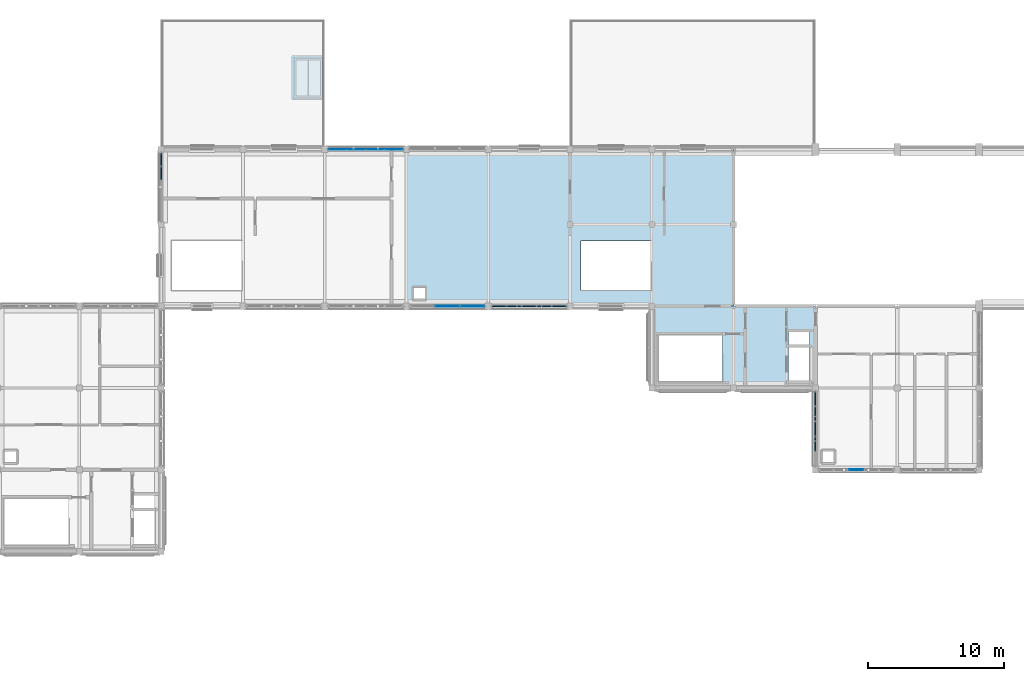
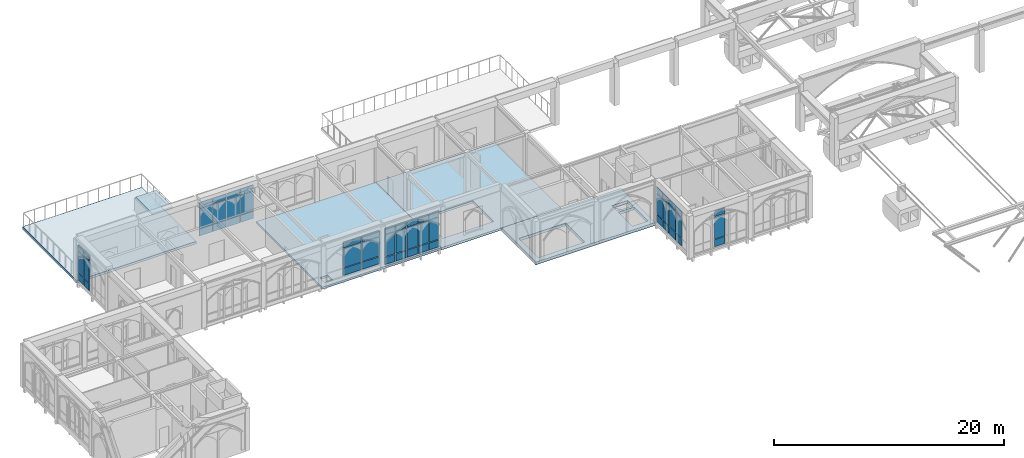
# One storey, part 37 of 59: 54 plates, 5 slabs, 6 elements without a shape of their own.
"""IFC4 building model written with IfcOpenShell, lengths in metres."""

from ifc_helpers import new_model, si_unit, direction, frame, origin, origin_2d, place, context, subcontext, project, spatial, polyline, rectangle, outline, extrude, material, layer, layer_set, type_object, element, aggregate, save


model = new_model("IFC4")

# Units and contexts
model_context = context("Model", 3, precision=1e-05, world=origin(), true_north=direction((0.0, 1.0)))
body_context = subcontext(model_context, "Body", "Model", "MODEL_VIEW")
ifc_project = project(units=[si_unit("LENGTHUNIT", "METRE"), si_unit("AREAUNIT", "SQUARE_METRE"), si_unit("VOLUMEUNIT", "CUBIC_METRE"), si_unit("PLANEANGLEUNIT", "RADIAN"), si_unit("MASSUNIT", "GRAM", prefix="KILO")], contexts=[model_context])

# Site, building, storey
site_placement = place(None, origin())
site = spatial("IfcSite", under=ifc_project, at=site_placement, CompositionType="ELEMENT")
building_placement = place(site_placement, origin())
building = spatial("IfcBuilding", under=site, at=building_placement, Name="Cumevento Cable Car Station", CompositionType="ELEMENT")
storey_placement = place(building_placement, frame((0.0, 0.0, 18.0)))
storey = spatial("IfcBuildingStorey", under=building, at=storey_placement, Name="L05", CompositionType="ELEMENT", Elevation=18.0)

# Slabs
ifc_material_1 = material(Name="Concrete C40/50", Category="concrete")
ifc_layer_1 = layer(ifc_material_1, 0.2119140625)
ifc_layer_set_1 = layer_set([ifc_layer_1], Name="Concrete C40/50")
slab_type_1 = type_object("IfcSlabType", Name="Concrete Deck FS-212 212", PredefinedType="FLOOR", material=ifc_layer_set_1)
slab_1_placement = place(storey_placement, frame((0.0, 0.0, -0.2119140625)))
element("IfcSlab", 1, at=slab_1_placement, inside=storey, type_object=slab_type_1, Name="Floor Slab FS-212 L05 B_V6c.2", PredefinedType="FLOOR", context=body_context, shape_type="SweptSolid", body=[
    extrude(outline(polyline([(40.0, 45.0), (52.0, 45.0), (52.0, 56.5), (40.0, 56.5), (40.0, 45.0)]), holes=[polyline([(40.550048828125, 45.550048828125), (41.35009765625, 45.550048828125), (41.35009765625, 46.35009765625), (40.550048828125, 46.35009765625), (40.550048828125, 45.550048828125)])]), origin(), (0.0, 0.0, 1.0), 0.2119140625),
])
ifc_material_2 = material(Name="Concrete C40/50", Category="concrete")
ifc_layer_2 = layer(ifc_material_2, 0.236083984375)
ifc_layer_set_2 = layer_set([ifc_layer_2], Name="Concrete C40/50")
slab_type_2 = type_object("IfcSlabType", Name="Concrete Deck FS-236 236", PredefinedType="FLOOR", material=ifc_layer_set_2)
slab_2_placement = place(storey_placement, frame((0.0, 0.0, -0.236083984375)))
element("IfcSlab", 2, at=slab_2_placement, inside=storey, type_object=slab_type_2, Name="Floor Slab FS-236 L05 B_V3d.1", PredefinedType="FLOOR", context=body_context, shape_type="SweptSolid", body=[
    extrude(outline(polyline([(52.0, 45.0), (64.0, 45.0), (64.0, 56.5), (52.0, 56.5), (52.0, 45.0)]), holes=[polyline([(52.800048828125, 46.199951171875), (57.89990234375, 46.199951171875), (57.89990234375, 49.800048828125), (52.800048828125, 49.800048828125), (52.800048828125, 46.199951171875)])]), origin(), (0.0, 0.0, 1.0), 0.236083984375),
])
ifc_material_3 = material(Name="Concrete C40/50", Category="concrete")
ifc_layer_3 = layer(ifc_material_3, 0.2958984375)
ifc_layer_set_3 = layer_set([ifc_layer_3], Name="Concrete C40/50")
slab_type_3 = type_object("IfcSlabType", Name="Concrete Deck FS-296 296", PredefinedType="FLOOR", material=ifc_layer_set_3)
slab_3_placement = place(storey_placement, frame((0.0, 0.0, -0.2958984375)))
element("IfcSlab", 3, at=slab_3_placement, inside=storey, type_object=slab_type_3, Name="Floor Slab FS-296 L05 B_V2c.1", PredefinedType="FLOOR", context=body_context, shape_type="SweptSolid", body=[
    extrude(outline(polyline([(58.0, 39.0), (70.0, 39.0), (70.0, 45.0), (58.0, 45.0), (58.0, 39.0)]), holes=[polyline([(68.010009765625, 39.5400390625), (69.580078125, 39.5400390625), (69.580078125, 41.9599609375), (68.010009765625, 41.9599609375), (68.010009765625, 39.5400390625)]), polyline([(58.52001953125, 39.52001953125), (63.199951171875, 39.52001953125), (63.199951171875, 42.85009765625), (58.52001953125, 42.85009765625), (58.52001953125, 39.52001953125)]), polyline([(68.010009765625, 42.199951171875), (69.580078125, 42.199951171875), (69.580078125, 43.10009765625), (68.010009765625, 43.10009765625), (68.010009765625, 42.199951171875)])]), origin(), (0.0, 0.0, 1.0), 0.2958984375),
])
ifc_material_4 = material(Name="Concrete C40/50", Category="concrete")
ifc_layer_4 = layer(ifc_material_4, 0.199951171875)
ifc_layer_set_4 = layer_set([ifc_layer_4], Name="Concrete C40/50")
slab_type_4 = type_object("IfcSlabType", Name="Concrete Deck RS-200 200", PredefinedType="ROOF", material=ifc_layer_set_4)
slab_4_placement = place(storey_placement, frame((0.0, 0.0, 1.25)))
element("IfcSlab", 4, at=slab_4_placement, inside=storey, type_object=slab_type_4, Name="Lift Overrun Roof Slab LF-04", PredefinedType="ROOF", context=body_context, shape_type="SweptSolid", body=[
    extrude(outline(polyline([(31.760009765625, 60.300048828125), (33.820068359375, 60.300048828125), (33.820068359375, 63.199951171875), (31.760009765625, 63.199951171875), (31.760009765625, 60.300048828125)])), origin(), (0.0, 0.0, 1.0), 0.199951171875),
])

# Curtain wall, plates
ifc_material_5 = material(Name="Anodised Bronze Aluminium AW-6063-T6", Category="aluminium")
ifc_layer_5 = layer(ifc_material_5, 0.238037109375)
ifc_layer_set_5 = layer_set([ifc_layer_5], Name="Anodised Bronze Aluminium AW-6063-T6")
curtain_wall_type_1 = type_object("IfcCurtainWallType", Name="Lancet Curtain Wall CW-14 1570", PredefinedType="NOTDEFINED", material=ifc_layer_set_5)
curtain_wall_1_placement = place(storey_placement, origin())
curtain_wall_1 = element("IfcCurtainWall", 5, at=curtain_wall_1_placement, inside=storey, type_object=curtain_wall_type_1, Name="Lancet Curtain Wall CW-14 L05 #205", PredefinedType="NOTDEFINED")
ifc_material_6 = material(Name="Insulated Bronze Aluminium Spandrel Panel", Category="aluminium")
ifc_layer_6 = layer(ifc_material_6, 0.06005859375)
ifc_layer_set_6 = layer_set([ifc_layer_6], Name="Insulated Bronze Aluminium Spandrel Panel")
plate_type_1 = type_object("IfcPlateType", Name="Spandrel Panel CWP-10 60", PredefinedType="CURTAIN_PANEL", material=ifc_layer_set_6)
plate_1_placement = place(storey_placement, frame((34.93505859375, 56.5, 0.47509765625), z_axis=(0.0, 0.0, 1.0), x_axis=(1.0, 0.0, 0.0)))
plate_1 = element("IfcPlate", 6, at=plate_1_placement, type_object=plate_type_1, Name="CW-14 panel 1.1", PredefinedType="CURTAIN_PANEL", context=body_context, shape_type="SweptSolid", body=[
    extrude(rectangle(XDim=1.2900390625, YDim=0.06005859375, at=origin_2d()), origin(), (0.0, 0.0, 1.0), 0.75244140625),
])
plate_2_placement = place(storey_placement, frame((34.93505859375, 56.5, 1.29248046875), z_axis=(0.0, 0.0, 1.0), x_axis=(1.0, 0.0, 0.0)))
plate_2 = element("IfcPlate", 7, at=plate_2_placement, type_object=plate_type_1, Name="CW-14 panel 1.2", PredefinedType="CURTAIN_PANEL", context=body_context, shape_type="SweptSolid", body=[
    extrude(rectangle(XDim=1.2900390625, YDim=0.06005859375, at=origin_2d()), origin(), (0.0, 0.0, 1.0), 2.068115234375),
])
plate_3_placement = place(storey_placement, frame((34.93505859375, 56.5, 3.425537109375), z_axis=(0.0, 0.0, 1.0), x_axis=(1.0, 0.0, 0.0)))
plate_3 = element("IfcPlate", 8, at=plate_3_placement, type_object=plate_type_1, Name="CW-14 panel 1.3", PredefinedType="CURTAIN_PANEL", context=body_context, shape_type="SweptSolid", body=[
    extrude(rectangle(XDim=1.2900390625, YDim=0.06005859375, at=origin_2d()), origin(), (0.0, 0.0, 1.0), 0.6025390625),
])
plate_4_placement = place(storey_placement, frame((36.30615234375, 56.5, 0.47509765625), z_axis=(0.0, 0.0, 1.0), x_axis=(1.0, 0.0, 0.0)))
plate_4 = element("IfcPlate", 9, at=plate_4_placement, type_object=plate_type_1, Name="CW-14 panel 2.1", PredefinedType="CURTAIN_PANEL", context=body_context, shape_type="SweptSolid", body=[
    extrude(rectangle(XDim=1.322509765625, YDim=0.06005859375, at=origin_2d()), origin(), (0.0, 0.0, 1.0), 0.75244140625),
])
plate_5_placement = place(storey_placement, frame((36.30615234375, 56.5, 1.29248046875), z_axis=(0.0, 0.0, 1.0), x_axis=(1.0, 0.0, 0.0)))
plate_5 = element("IfcPlate", 10, at=plate_5_placement, type_object=plate_type_1, Name="CW-14 panel 2.2", PredefinedType="CURTAIN_PANEL", context=body_context, shape_type="SweptSolid", body=[
    extrude(rectangle(XDim=1.322509765625, YDim=0.06005859375, at=origin_2d()), origin(), (0.0, 0.0, 1.0), 2.068115234375),
])
plate_6_placement = place(storey_placement, frame((36.30615234375, 56.5, 3.425537109375), z_axis=(0.0, 0.0, 1.0), x_axis=(1.0, 0.0, 0.0)))
plate_6 = element("IfcPlate", 11, at=plate_6_placement, type_object=plate_type_1, Name="CW-14 panel 2.3", PredefinedType="CURTAIN_PANEL", context=body_context, shape_type="SweptSolid", body=[
    extrude(rectangle(XDim=1.322509765625, YDim=0.06005859375, at=origin_2d()), origin(), (0.0, 0.0, 1.0), 0.6025390625),
])
plate_7_placement = place(storey_placement, frame((37.69384765625, 56.5, 0.47509765625), z_axis=(0.0, 0.0, 1.0), x_axis=(1.0, 0.0, 0.0)))
plate_7 = element("IfcPlate", 12, at=plate_7_placement, type_object=plate_type_1, Name="CW-14 panel 3.1", PredefinedType="CURTAIN_PANEL", context=body_context, shape_type="SweptSolid", body=[
    extrude(rectangle(XDim=1.322509765625, YDim=0.06005859375, at=origin_2d()), origin(), (0.0, 0.0, 1.0), 0.75244140625),
])
plate_8_placement = place(storey_placement, frame((37.69384765625, 56.5, 1.29248046875), z_axis=(0.0, 0.0, 1.0), x_axis=(1.0, 0.0, 0.0)))
plate_8 = element("IfcPlate", 13, at=plate_8_placement, type_object=plate_type_1, Name="CW-14 panel 3.2", PredefinedType="CURTAIN_PANEL", context=body_context, shape_type="SweptSolid", body=[
    extrude(rectangle(XDim=1.322509765625, YDim=0.06005859375, at=origin_2d()), origin(), (0.0, 0.0, 1.0), 2.068115234375),
])
plate_9_placement = place(storey_placement, frame((37.69384765625, 56.5, 3.425537109375), z_axis=(0.0, 0.0, 1.0), x_axis=(1.0, 0.0, 0.0)))
plate_9 = element("IfcPlate", 14, at=plate_9_placement, type_object=plate_type_1, Name="CW-14 panel 3.3", PredefinedType="CURTAIN_PANEL", context=body_context, shape_type="SweptSolid", body=[
    extrude(rectangle(XDim=1.322509765625, YDim=0.06005859375, at=origin_2d()), origin(), (0.0, 0.0, 1.0), 0.6025390625),
])
plate_10_placement = place(storey_placement, frame((39.06494140625, 56.5, 0.47509765625), z_axis=(0.0, 0.0, 1.0), x_axis=(1.0, 0.0, 0.0)))
plate_10 = element("IfcPlate", 15, at=plate_10_placement, type_object=plate_type_1, Name="CW-14 panel 4.1", PredefinedType="CURTAIN_PANEL", context=body_context, shape_type="SweptSolid", body=[
    extrude(rectangle(XDim=1.2900390625, YDim=0.06005859375, at=origin_2d()), origin(), (0.0, 0.0, 1.0), 0.75244140625),
])
plate_11_placement = place(storey_placement, frame((39.06494140625, 56.5, 1.29248046875), z_axis=(0.0, 0.0, 1.0), x_axis=(1.0, 0.0, 0.0)))
plate_11 = element("IfcPlate", 16, at=plate_11_placement, type_object=plate_type_1, Name="CW-14 panel 4.2", PredefinedType="CURTAIN_PANEL", context=body_context, shape_type="SweptSolid", body=[
    extrude(rectangle(XDim=1.2900390625, YDim=0.06005859375, at=origin_2d()), origin(), (0.0, 0.0, 1.0), 2.068115234375),
])
plate_12_placement = place(storey_placement, frame((39.06494140625, 56.5, 3.425537109375), z_axis=(0.0, 0.0, 1.0), x_axis=(1.0, 0.0, 0.0)))
plate_12 = element("IfcPlate", 17, at=plate_12_placement, type_object=plate_type_1, Name="CW-14 panel 4.3", PredefinedType="CURTAIN_PANEL", context=body_context, shape_type="SweptSolid", body=[
    extrude(rectangle(XDim=1.2900390625, YDim=0.06005859375, at=origin_2d()), origin(), (0.0, 0.0, 1.0), 0.6025390625),
])
aggregate(curtain_wall_1, [plate_1, plate_2, plate_3, plate_4, plate_5, plate_6, plate_7, plate_8, plate_9, plate_10, plate_11, plate_12])

ifc_material_7 = material(Name="Anodised Bronze Aluminium AW-6063-T6", Category="aluminium")
ifc_layer_7 = layer(ifc_material_7, 0.159912109375)
ifc_layer_set_7 = layer_set([ifc_layer_7], Name="Anodised Bronze Aluminium AW-6063-T6")
curtain_wall_type_2 = type_object("IfcCurtainWallType", Name="Lancet Curtain Wall CW-01 1050", PredefinedType="NOTDEFINED", material=ifc_layer_set_7)
curtain_wall_2_placement = place(storey_placement, origin())
curtain_wall_2 = element("IfcCurtainWall", 18, at=curtain_wall_2_placement, inside=storey, type_object=curtain_wall_type_2, Name="Lancet Curtain Wall CW-01 L05 #192", PredefinedType="NOTDEFINED")
ifc_material_8 = material(Name="Insulated Bronze Aluminium Spandrel Panel", Category="aluminium")
ifc_layer_8 = layer(ifc_material_8, 0.06591796875)
ifc_layer_set_8 = layer_set([ifc_layer_8], Name="Insulated Bronze Aluminium Spandrel Panel")
plate_type_2 = type_object("IfcPlateType", Name="Spandrel Panel CWP-11 66", PredefinedType="CURTAIN_PANEL", material=ifc_layer_set_8)
plate_13_placement = place(storey_placement, frame((73.0, 33.0, 0.22509765625), z_axis=(0.0, 0.0, 1.0), x_axis=(-1.0, 0.0, 0.0)))
plate_13 = element("IfcPlate", 19, at=plate_13_placement, type_object=plate_type_2, Name="CW-01 panel 3.1", PredefinedType="CURTAIN_PANEL", context=body_context, shape_type="SweptSolid", body=[
    extrude(rectangle(XDim=1.044921875, YDim=0.06591796875, at=origin_2d()), origin(), (0.0, 0.0, 1.0), 0.75244140625),
])
plate_14_placement = place(storey_placement, frame((73.0, 33.0, 1.04248046875), z_axis=(0.0, 0.0, 1.0), x_axis=(-1.0, 0.0, 0.0)))
plate_14 = element("IfcPlate", 20, at=plate_14_placement, type_object=plate_type_2, Name="CW-01 panel 3.2", PredefinedType="CURTAIN_PANEL", context=body_context, shape_type="SweptSolid", body=[
    extrude(rectangle(XDim=1.044921875, YDim=0.06591796875, at=origin_2d()), origin(), (0.0, 0.0, 1.0), 2.318115234375),
])
plate_15_placement = place(storey_placement, frame((73.0, 33.0, 3.425537109375), z_axis=(0.0, 0.0, 1.0), x_axis=(-1.0, 0.0, 0.0)))
plate_15 = element("IfcPlate", 21, at=plate_15_placement, type_object=plate_type_2, Name="CW-01 panel 3.3", PredefinedType="CURTAIN_PANEL", context=body_context, shape_type="SweptSolid", body=[
    extrude(rectangle(XDim=1.044921875, YDim=0.06591796875, at=origin_2d()), origin(), (0.0, 0.0, 1.0), 0.6025390625),
])
aggregate(curtain_wall_2, [plate_13, plate_14, plate_15])

ifc_material_9 = material(Name="Anodised Bronze Aluminium AW-6063-T6", Category="aluminium")
ifc_layer_9 = layer(ifc_material_9, 0.243896484375)
ifc_layer_set_9 = layer_set([ifc_layer_9], Name="Anodised Bronze Aluminium AW-6063-T6")
curtain_wall_type_3 = type_object("IfcCurtainWallType", Name="Lancet Curtain Wall CW-15 1610", PredefinedType="NOTDEFINED", material=ifc_layer_set_9)
curtain_wall_3_placement = place(storey_placement, origin())
curtain_wall_3 = element("IfcCurtainWall", 22, at=curtain_wall_3_placement, inside=storey, type_object=curtain_wall_type_3, Name="Lancet Curtain Wall CW-15 L05 #206", PredefinedType="NOTDEFINED")
plate_16_placement = place(storey_placement, frame((44.833740234375, 45.0, 0.525146484375), z_axis=(0.0, 0.0, 1.0), x_axis=(-1.0, 0.0, 0.0)))
plate_16 = element("IfcPlate", 23, at=plate_16_placement, type_object=plate_type_2, Name="CW-15 panel 1.1", PredefinedType="CURTAIN_PANEL", context=body_context, shape_type="SweptSolid", body=[
    extrude(rectangle(XDim=1.75244140625, YDim=0.06591796875, at=origin_2d()), origin(), (0.0, 0.0, 1.0), 0.75244140625),
])
plate_17_placement = place(storey_placement, frame((44.833740234375, 45.0, 1.342529296875), z_axis=(0.0, 0.0, 1.0), x_axis=(-1.0, 0.0, 0.0)))
plate_17 = element("IfcPlate", 24, at=plate_17_placement, type_object=plate_type_2, Name="CW-15 panel 1.2", PredefinedType="CURTAIN_PANEL", context=body_context, shape_type="SweptSolid", body=[
    extrude(rectangle(XDim=1.75244140625, YDim=0.06591796875, at=origin_2d()), origin(), (0.0, 0.0, 1.0), 2.01806640625),
])
plate_18_placement = place(storey_placement, frame((44.833740234375, 45.0, 3.425537109375), z_axis=(0.0, 0.0, 1.0), x_axis=(-1.0, 0.0, 0.0)))
plate_18 = element("IfcPlate", 25, at=plate_18_placement, type_object=plate_type_2, Name="CW-15 panel 1.3", PredefinedType="CURTAIN_PANEL", context=body_context, shape_type="SweptSolid", body=[
    extrude(rectangle(XDim=1.75244140625, YDim=0.06591796875, at=origin_2d()), origin(), (0.0, 0.0, 1.0), 0.6025390625),
])
plate_19_placement = place(storey_placement, frame((43.0, 45.0, 0.525146484375), z_axis=(0.0, 0.0, 1.0), x_axis=(-1.0, 0.0, 0.0)))
plate_19 = element("IfcPlate", 26, at=plate_19_placement, type_object=plate_type_2, Name="CW-15 panel 2.1", PredefinedType="CURTAIN_PANEL", context=body_context, shape_type="SweptSolid", body=[
    extrude(rectangle(XDim=1.784912109375, YDim=0.06591796875, at=origin_2d()), origin(), (0.0, 0.0, 1.0), 0.75244140625),
])
plate_20_placement = place(storey_placement, frame((43.0, 45.0, 1.342529296875), z_axis=(0.0, 0.0, 1.0), x_axis=(-1.0, 0.0, 0.0)))
plate_20 = element("IfcPlate", 27, at=plate_20_placement, type_object=plate_type_2, Name="CW-15 panel 2.2", PredefinedType="CURTAIN_PANEL", context=body_context, shape_type="SweptSolid", body=[
    extrude(rectangle(XDim=1.784912109375, YDim=0.06591796875, at=origin_2d()), origin(), (0.0, 0.0, 1.0), 2.01806640625),
])
plate_21_placement = place(storey_placement, frame((43.0, 45.0, 3.425537109375), z_axis=(0.0, 0.0, 1.0), x_axis=(-1.0, 0.0, 0.0)))
plate_21 = element("IfcPlate", 28, at=plate_21_placement, type_object=plate_type_2, Name="CW-15 panel 2.3", PredefinedType="CURTAIN_PANEL", context=body_context, shape_type="SweptSolid", body=[
    extrude(rectangle(XDim=1.784912109375, YDim=0.06591796875, at=origin_2d()), origin(), (0.0, 0.0, 1.0), 0.6025390625),
])
aggregate(curtain_wall_3, [plate_16, plate_17, plate_18, plate_19, plate_20, plate_21])

ifc_material_10 = material(Name="Anodised Bronze Aluminium AW-6063-T6", Category="aluminium")
ifc_layer_10 = layer(ifc_material_10, 0.172119140625)
ifc_layer_set_10 = layer_set([ifc_layer_10], Name="Anodised Bronze Aluminium AW-6063-T6")
curtain_wall_type_4 = type_object("IfcCurtainWallType", Name="Lancet Curtain Wall CW-03 1130", PredefinedType="NOTDEFINED", material=ifc_layer_set_10)
curtain_wall_4_placement = place(storey_placement, origin())
curtain_wall_4 = element("IfcCurtainWall", 29, at=curtain_wall_4_placement, inside=storey, type_object=curtain_wall_type_4, Name="Lancet Curtain Wall CW-03 L05 #194", PredefinedType="NOTDEFINED")
ifc_material_11 = material(Name="Insulated Bronze Aluminium Spandrel Panel", Category="aluminium")
ifc_layer_11 = layer(ifc_material_11, 0.077880859375)
ifc_layer_set_11 = layer_set([ifc_layer_11], Name="Insulated Bronze Aluminium Spandrel Panel")
plate_type_3 = type_object("IfcPlateType", Name="Spandrel Panel CWP-13 78", PredefinedType="CURTAIN_PANEL", material=ifc_layer_set_11)
plate_22_placement = place(storey_placement, frame((70.0, 34.889892578125, 0.324951171875), z_axis=(0.0, 0.0, 1.0), x_axis=(0.0, 1.0, 0.0)))
plate_22 = element("IfcPlate", 30, at=plate_22_placement, type_object=plate_type_3, Name="CW-03 panel 2.1", PredefinedType="CURTAIN_PANEL", context=body_context, shape_type="SweptSolid", body=[
    extrude(rectangle(XDim=1.044921875, YDim=0.077880859375, at=origin_2d()), origin(), (0.0, 0.0, 1.0), 0.75244140625),
])
plate_23_placement = place(storey_placement, frame((70.0, 34.889892578125, 1.142578125), z_axis=(0.0, 0.0, 1.0), x_axis=(0.0, 1.0, 0.0)))
plate_23 = element("IfcPlate", 31, at=plate_23_placement, type_object=plate_type_3, Name="CW-03 panel 2.2", PredefinedType="CURTAIN_PANEL", context=body_context, shape_type="SweptSolid", body=[
    extrude(rectangle(XDim=1.044921875, YDim=0.077880859375, at=origin_2d()), origin(), (0.0, 0.0, 1.0), 2.16796875),
])
plate_24_placement = place(storey_placement, frame((70.0, 34.889892578125, 3.37548828125), z_axis=(0.0, 0.0, 1.0), x_axis=(0.0, 1.0, 0.0)))
plate_24 = element("IfcPlate", 32, at=plate_24_placement, type_object=plate_type_3, Name="CW-03 panel 2.3", PredefinedType="CURTAIN_PANEL", context=body_context, shape_type="SweptSolid", body=[
    extrude(rectangle(XDim=1.044921875, YDim=0.077880859375, at=origin_2d()), origin(), (0.0, 0.0, 1.0), 0.6025390625),
])
plate_25_placement = place(storey_placement, frame((70.0, 36.0, 0.324951171875), z_axis=(0.0, 0.0, 1.0), x_axis=(0.0, 1.0, 0.0)))
plate_25 = element("IfcPlate", 33, at=plate_25_placement, type_object=plate_type_3, Name="CW-03 panel 3.1", PredefinedType="CURTAIN_PANEL", context=body_context, shape_type="SweptSolid", body=[
    extrude(rectangle(XDim=1.044921875, YDim=0.077880859375, at=origin_2d()), origin(), (0.0, 0.0, 1.0), 0.75244140625),
])
plate_26_placement = place(storey_placement, frame((70.0, 36.0, 1.142578125), z_axis=(0.0, 0.0, 1.0), x_axis=(0.0, 1.0, 0.0)))
plate_26 = element("IfcPlate", 34, at=plate_26_placement, type_object=plate_type_3, Name="CW-03 panel 3.2", PredefinedType="CURTAIN_PANEL", context=body_context, shape_type="SweptSolid", body=[
    extrude(rectangle(XDim=1.044921875, YDim=0.077880859375, at=origin_2d()), origin(), (0.0, 0.0, 1.0), 2.16796875),
])
plate_27_placement = place(storey_placement, frame((70.0, 36.0, 3.37548828125), z_axis=(0.0, 0.0, 1.0), x_axis=(0.0, 1.0, 0.0)))
plate_27 = element("IfcPlate", 35, at=plate_27_placement, type_object=plate_type_3, Name="CW-03 panel 3.3", PredefinedType="CURTAIN_PANEL", context=body_context, shape_type="SweptSolid", body=[
    extrude(rectangle(XDim=1.044921875, YDim=0.077880859375, at=origin_2d()), origin(), (0.0, 0.0, 1.0), 0.6025390625),
])
plate_28_placement = place(storey_placement, frame((70.0, 37.110107421875, 0.324951171875), z_axis=(0.0, 0.0, 1.0), x_axis=(0.0, 1.0, 0.0)))
plate_28 = element("IfcPlate", 36, at=plate_28_placement, type_object=plate_type_3, Name="CW-03 panel 4.1", PredefinedType="CURTAIN_PANEL", context=body_context, shape_type="SweptSolid", body=[
    extrude(rectangle(XDim=1.044921875, YDim=0.077880859375, at=origin_2d()), origin(), (0.0, 0.0, 1.0), 0.75244140625),
])
plate_29_placement = place(storey_placement, frame((70.0, 37.110107421875, 1.142578125), z_axis=(0.0, 0.0, 1.0), x_axis=(0.0, 1.0, 0.0)))
plate_29 = element("IfcPlate", 37, at=plate_29_placement, type_object=plate_type_3, Name="CW-03 panel 4.2", PredefinedType="CURTAIN_PANEL", context=body_context, shape_type="SweptSolid", body=[
    extrude(rectangle(XDim=1.044921875, YDim=0.077880859375, at=origin_2d()), origin(), (0.0, 0.0, 1.0), 2.16796875),
])
plate_30_placement = place(storey_placement, frame((70.0, 37.110107421875, 3.37548828125), z_axis=(0.0, 0.0, 1.0), x_axis=(0.0, 1.0, 0.0)))
plate_30 = element("IfcPlate", 38, at=plate_30_placement, type_object=plate_type_3, Name="CW-03 panel 4.3", PredefinedType="CURTAIN_PANEL", context=body_context, shape_type="SweptSolid", body=[
    extrude(rectangle(XDim=1.044921875, YDim=0.077880859375, at=origin_2d()), origin(), (0.0, 0.0, 1.0), 0.6025390625),
])
plate_31_placement = place(storey_placement, frame((70.0, 38.203857421875, 0.324951171875), z_axis=(0.0, 0.0, 1.0), x_axis=(0.0, 1.0, 0.0)))
plate_31 = element("IfcPlate", 39, at=plate_31_placement, type_object=plate_type_3, Name="CW-03 panel 5.1", PredefinedType="CURTAIN_PANEL", context=body_context, shape_type="SweptSolid", body=[
    extrude(rectangle(XDim=1.012451171875, YDim=0.077880859375, at=origin_2d()), origin(), (0.0, 0.0, 1.0), 0.75244140625),
])
plate_32_placement = place(storey_placement, frame((70.0, 38.203857421875, 1.142578125), z_axis=(0.0, 0.0, 1.0), x_axis=(0.0, 1.0, 0.0)))
plate_32 = element("IfcPlate", 40, at=plate_32_placement, type_object=plate_type_3, Name="CW-03 panel 5.2", PredefinedType="CURTAIN_PANEL", context=body_context, shape_type="SweptSolid", body=[
    extrude(rectangle(XDim=1.012451171875, YDim=0.077880859375, at=origin_2d()), origin(), (0.0, 0.0, 1.0), 2.16796875),
])
plate_33_placement = place(storey_placement, frame((70.0, 38.203857421875, 3.37548828125), z_axis=(0.0, 0.0, 1.0), x_axis=(0.0, 1.0, 0.0)))
plate_33 = element("IfcPlate", 41, at=plate_33_placement, type_object=plate_type_3, Name="CW-03 panel 5.3", PredefinedType="CURTAIN_PANEL", context=body_context, shape_type="SweptSolid", body=[
    extrude(rectangle(XDim=1.012451171875, YDim=0.077880859375, at=origin_2d()), origin(), (0.0, 0.0, 1.0), 0.6025390625),
])
aggregate(curtain_wall_4, [plate_22, plate_23, plate_24, plate_25, plate_26, plate_27, plate_28, plate_29, plate_30, plate_31, plate_32, plate_33])

curtain_wall_5_placement = place(storey_placement, origin())
curtain_wall_5 = element("IfcCurtainWall", 42, at=curtain_wall_5_placement, inside=storey, type_object=curtain_wall_type_2, Name="Lancet Curtain Wall CW-01 L05 #208", PredefinedType="NOTDEFINED")
plate_34_placement = place(storey_placement, frame((51.203857421875, 45.0, 0.22509765625), z_axis=(0.0, 0.0, 1.0), x_axis=(-1.0, 0.0, 0.0)))
plate_34 = element("IfcPlate", 43, at=plate_34_placement, type_object=plate_type_3, Name="CW-01 panel 1.1", PredefinedType="CURTAIN_PANEL", context=body_context, shape_type="SweptSolid", body=[
    extrude(rectangle(XDim=1.012451171875, YDim=0.077880859375, at=origin_2d()), origin(), (0.0, 0.0, 1.0), 0.75244140625),
])
plate_35_placement = place(storey_placement, frame((51.203857421875, 45.0, 1.04248046875), z_axis=(0.0, 0.0, 1.0), x_axis=(-1.0, 0.0, 0.0)))
plate_35 = element("IfcPlate", 44, at=plate_35_placement, type_object=plate_type_3, Name="CW-01 panel 1.2", PredefinedType="CURTAIN_PANEL", context=body_context, shape_type="SweptSolid", body=[
    extrude(rectangle(XDim=1.012451171875, YDim=0.077880859375, at=origin_2d()), origin(), (0.0, 0.0, 1.0), 2.318115234375),
])
plate_36_placement = place(storey_placement, frame((51.203857421875, 45.0, 3.425537109375), z_axis=(0.0, 0.0, 1.0), x_axis=(-1.0, 0.0, 0.0)))
plate_36 = element("IfcPlate", 45, at=plate_36_placement, type_object=plate_type_3, Name="CW-01 panel 1.3", PredefinedType="CURTAIN_PANEL", context=body_context, shape_type="SweptSolid", body=[
    extrude(rectangle(XDim=1.012451171875, YDim=0.077880859375, at=origin_2d()), origin(), (0.0, 0.0, 1.0), 0.6025390625),
])
plate_37_placement = place(storey_placement, frame((50.110107421875, 45.0, 0.22509765625), z_axis=(0.0, 0.0, 1.0), x_axis=(-1.0, 0.0, 0.0)))
plate_37 = element("IfcPlate", 46, at=plate_37_placement, type_object=plate_type_3, Name="CW-01 panel 2.1", PredefinedType="CURTAIN_PANEL", context=body_context, shape_type="SweptSolid", body=[
    extrude(rectangle(XDim=1.044921875, YDim=0.077880859375, at=origin_2d()), origin(), (0.0, 0.0, 1.0), 0.75244140625),
])
plate_38_placement = place(storey_placement, frame((50.110107421875, 45.0, 1.04248046875), z_axis=(0.0, 0.0, 1.0), x_axis=(-1.0, 0.0, 0.0)))
plate_38 = element("IfcPlate", 47, at=plate_38_placement, type_object=plate_type_3, Name="CW-01 panel 2.2", PredefinedType="CURTAIN_PANEL", context=body_context, shape_type="SweptSolid", body=[
    extrude(rectangle(XDim=1.044921875, YDim=0.077880859375, at=origin_2d()), origin(), (0.0, 0.0, 1.0), 2.318115234375),
])
plate_39_placement = place(storey_placement, frame((50.110107421875, 45.0, 3.425537109375), z_axis=(0.0, 0.0, 1.0), x_axis=(-1.0, 0.0, 0.0)))
plate_39 = element("IfcPlate", 48, at=plate_39_placement, type_object=plate_type_3, Name="CW-01 panel 2.3", PredefinedType="CURTAIN_PANEL", context=body_context, shape_type="SweptSolid", body=[
    extrude(rectangle(XDim=1.044921875, YDim=0.077880859375, at=origin_2d()), origin(), (0.0, 0.0, 1.0), 0.6025390625),
])
plate_40_placement = place(storey_placement, frame((49.0, 45.0, 0.22509765625), z_axis=(0.0, 0.0, 1.0), x_axis=(-1.0, 0.0, 0.0)))
plate_40 = element("IfcPlate", 49, at=plate_40_placement, type_object=plate_type_3, Name="CW-01 panel 3.1", PredefinedType="CURTAIN_PANEL", context=body_context, shape_type="SweptSolid", body=[
    extrude(rectangle(XDim=1.044921875, YDim=0.077880859375, at=origin_2d()), origin(), (0.0, 0.0, 1.0), 0.75244140625),
])
plate_41_placement = place(storey_placement, frame((49.0, 45.0, 1.04248046875), z_axis=(0.0, 0.0, 1.0), x_axis=(-1.0, 0.0, 0.0)))
plate_41 = element("IfcPlate", 50, at=plate_41_placement, type_object=plate_type_3, Name="CW-01 panel 3.2", PredefinedType="CURTAIN_PANEL", context=body_context, shape_type="SweptSolid", body=[
    extrude(rectangle(XDim=1.044921875, YDim=0.077880859375, at=origin_2d()), origin(), (0.0, 0.0, 1.0), 2.318115234375),
])
plate_42_placement = place(storey_placement, frame((49.0, 45.0, 3.425537109375), z_axis=(0.0, 0.0, 1.0), x_axis=(-1.0, 0.0, 0.0)))
plate_42 = element("IfcPlate", 51, at=plate_42_placement, type_object=plate_type_3, Name="CW-01 panel 3.3", PredefinedType="CURTAIN_PANEL", context=body_context, shape_type="SweptSolid", body=[
    extrude(rectangle(XDim=1.044921875, YDim=0.077880859375, at=origin_2d()), origin(), (0.0, 0.0, 1.0), 0.6025390625),
])
plate_43_placement = place(storey_placement, frame((47.889892578125, 45.0, 0.22509765625), z_axis=(0.0, 0.0, 1.0), x_axis=(-1.0, 0.0, 0.0)))
plate_43 = element("IfcPlate", 52, at=plate_43_placement, type_object=plate_type_3, Name="CW-01 panel 4.1", PredefinedType="CURTAIN_PANEL", context=body_context, shape_type="SweptSolid", body=[
    extrude(rectangle(XDim=1.044921875, YDim=0.077880859375, at=origin_2d()), origin(), (0.0, 0.0, 1.0), 0.75244140625),
])
plate_44_placement = place(storey_placement, frame((47.889892578125, 45.0, 1.04248046875), z_axis=(0.0, 0.0, 1.0), x_axis=(-1.0, 0.0, 0.0)))
plate_44 = element("IfcPlate", 53, at=plate_44_placement, type_object=plate_type_3, Name="CW-01 panel 4.2", PredefinedType="CURTAIN_PANEL", context=body_context, shape_type="SweptSolid", body=[
    extrude(rectangle(XDim=1.044921875, YDim=0.077880859375, at=origin_2d()), origin(), (0.0, 0.0, 1.0), 2.318115234375),
])
plate_45_placement = place(storey_placement, frame((47.889892578125, 45.0, 3.425537109375), z_axis=(0.0, 0.0, 1.0), x_axis=(-1.0, 0.0, 0.0)))
plate_45 = element("IfcPlate", 54, at=plate_45_placement, type_object=plate_type_3, Name="CW-01 panel 4.3", PredefinedType="CURTAIN_PANEL", context=body_context, shape_type="SweptSolid", body=[
    extrude(rectangle(XDim=1.044921875, YDim=0.077880859375, at=origin_2d()), origin(), (0.0, 0.0, 1.0), 0.6025390625),
])
plate_46_placement = place(storey_placement, frame((46.796142578125, 45.0, 0.22509765625), z_axis=(0.0, 0.0, 1.0), x_axis=(-1.0, 0.0, 0.0)))
plate_46 = element("IfcPlate", 55, at=plate_46_placement, type_object=plate_type_3, Name="CW-01 panel 5.1", PredefinedType="CURTAIN_PANEL", context=body_context, shape_type="SweptSolid", body=[
    extrude(rectangle(XDim=1.012451171875, YDim=0.077880859375, at=origin_2d()), origin(), (0.0, 0.0, 1.0), 0.75244140625),
])
plate_47_placement = place(storey_placement, frame((46.796142578125, 45.0, 1.04248046875), z_axis=(0.0, 0.0, 1.0), x_axis=(-1.0, 0.0, 0.0)))
plate_47 = element("IfcPlate", 56, at=plate_47_placement, type_object=plate_type_3, Name="CW-01 panel 5.2", PredefinedType="CURTAIN_PANEL", context=body_context, shape_type="SweptSolid", body=[
    extrude(rectangle(XDim=1.012451171875, YDim=0.077880859375, at=origin_2d()), origin(), (0.0, 0.0, 1.0), 2.318115234375),
])
plate_48_placement = place(storey_placement, frame((46.796142578125, 45.0, 3.425537109375), z_axis=(0.0, 0.0, 1.0), x_axis=(-1.0, 0.0, 0.0)))
plate_48 = element("IfcPlate", 57, at=plate_48_placement, type_object=plate_type_3, Name="CW-01 panel 5.3", PredefinedType="CURTAIN_PANEL", context=body_context, shape_type="SweptSolid", body=[
    extrude(rectangle(XDim=1.012451171875, YDim=0.077880859375, at=origin_2d()), origin(), (0.0, 0.0, 1.0), 0.6025390625),
])
aggregate(curtain_wall_5, [plate_34, plate_35, plate_36, plate_37, plate_38, plate_39, plate_40, plate_41, plate_42, plate_43, plate_44, plate_45, plate_46, plate_47, plate_48])

ifc_material_12 = material(Name="Anodised Bronze Aluminium AW-6063-T6", Category="aluminium")
ifc_layer_12 = layer(ifc_material_12, 0.166015625)
ifc_layer_set_12 = layer_set([ifc_layer_12], Name="Anodised Bronze Aluminium AW-6063-T6")
curtain_wall_type_5 = type_object("IfcCurtainWallType", Name="Lancet Curtain Wall CW-02 1090", PredefinedType="NOTDEFINED", material=ifc_layer_set_12)
curtain_wall_6_placement = place(storey_placement, origin())
curtain_wall_6 = element("IfcCurtainWall", 58, at=curtain_wall_6_placement, inside=storey, type_object=curtain_wall_type_5, Name="Lancet Curtain Wall CW-02 L05 #209", PredefinedType="NOTDEFINED")
ifc_material_13 = material(Name="Insulated Bronze Aluminium Spandrel Panel", Category="aluminium")
ifc_layer_13 = layer(ifc_material_13, 0.0849609375)
ifc_layer_set_13 = layer_set([ifc_layer_13], Name="Insulated Bronze Aluminium Spandrel Panel")
plate_type_4 = type_object("IfcPlateType", Name="Spandrel Panel CWP-14 85", PredefinedType="CURTAIN_PANEL", material=ifc_layer_set_13)
plate_49_placement = place(storey_placement, frame((22.0, 54.760009765625, 0.275146484375), z_axis=(0.0, 0.0, 1.0), x_axis=(0.0, 1.0, 0.0)))
plate_49 = element("IfcPlate", 59, at=plate_49_placement, type_object=plate_type_4, Name="CW-02 panel 4.1", PredefinedType="CURTAIN_PANEL", context=body_context, shape_type="SweptSolid", body=[
    extrude(rectangle(XDim=0.945068359375, YDim=0.0849609375, at=origin_2d()), origin(), (0.0, 0.0, 1.0), 0.75244140625),
])
plate_50_placement = place(storey_placement, frame((22.0, 54.760009765625, 1.092529296875), z_axis=(0.0, 0.0, 1.0), x_axis=(0.0, 1.0, 0.0)))
plate_50 = element("IfcPlate", 60, at=plate_50_placement, type_object=plate_type_4, Name="CW-02 panel 4.2", PredefinedType="CURTAIN_PANEL", context=body_context, shape_type="SweptSolid", body=[
    extrude(rectangle(XDim=0.945068359375, YDim=0.0849609375, at=origin_2d()), origin(), (0.0, 0.0, 1.0), 2.26806640625),
])
plate_51_placement = place(storey_placement, frame((22.0, 54.760009765625, 3.425537109375), z_axis=(0.0, 0.0, 1.0), x_axis=(0.0, 1.0, 0.0)))
plate_51 = element("IfcPlate", 61, at=plate_51_placement, type_object=plate_type_4, Name="CW-02 panel 4.3", PredefinedType="CURTAIN_PANEL", context=body_context, shape_type="SweptSolid", body=[
    extrude(rectangle(XDim=0.945068359375, YDim=0.0849609375, at=origin_2d()), origin(), (0.0, 0.0, 1.0), 0.6025390625),
])
plate_52_placement = place(storey_placement, frame((22.0, 55.753662109375, 0.275146484375), z_axis=(0.0, 0.0, 1.0), x_axis=(0.0, 1.0, 0.0)))
plate_52 = element("IfcPlate", 62, at=plate_52_placement, type_object=plate_type_4, Name="CW-02 panel 5.1", PredefinedType="CURTAIN_PANEL", context=body_context, shape_type="SweptSolid", body=[
    extrude(rectangle(XDim=0.91259765625, YDim=0.0849609375, at=origin_2d()), origin(), (0.0, 0.0, 1.0), 0.75244140625),
])
plate_53_placement = place(storey_placement, frame((22.0, 55.753662109375, 1.092529296875), z_axis=(0.0, 0.0, 1.0), x_axis=(0.0, 1.0, 0.0)))
plate_53 = element("IfcPlate", 63, at=plate_53_placement, type_object=plate_type_4, Name="CW-02 panel 5.2", PredefinedType="CURTAIN_PANEL", context=body_context, shape_type="SweptSolid", body=[
    extrude(rectangle(XDim=0.91259765625, YDim=0.0849609375, at=origin_2d()), origin(), (0.0, 0.0, 1.0), 2.26806640625),
])
plate_54_placement = place(storey_placement, frame((22.0, 55.753662109375, 3.425537109375), z_axis=(0.0, 0.0, 1.0), x_axis=(0.0, 1.0, 0.0)))
plate_54 = element("IfcPlate", 64, at=plate_54_placement, type_object=plate_type_4, Name="CW-02 panel 5.3", PredefinedType="CURTAIN_PANEL", context=body_context, shape_type="SweptSolid", body=[
    extrude(rectangle(XDim=0.91259765625, YDim=0.0849609375, at=origin_2d()), origin(), (0.0, 0.0, 1.0), 0.6025390625),
])
aggregate(curtain_wall_6, [plate_49, plate_50, plate_51, plate_52, plate_53, plate_54])

# Slab
ifc_material_14 = material(Name="Concrete C40/50", Category="concrete")
ifc_layer_14 = layer(ifc_material_14, 0.25)
ifc_layer_set_14 = layer_set([ifc_layer_14], Name="Concrete C40/50")
slab_type_5 = type_object("IfcSlabType", Name="Terrace Slab SL-TER-01", PredefinedType="FLOOR", material=ifc_layer_set_14)
slab_5_placement = place(storey_placement, frame((0.0, 0.0, -0.25)))
element("IfcSlab", 65, at=slab_5_placement, inside=storey, type_object=slab_type_5, Name="Panoramic Viewing Terrace Mirante", PredefinedType="FLOOR", context=body_context, shape_type="SweptSolid", body=[
    extrude(outline(polyline([(22.0, 56.5), (34.0, 56.5), (34.0, 66.0), (22.0, 66.0), (22.0, 56.5)])), origin(), (0.0, 0.0, 1.0), 0.25),
])

save(model, "model.ifc")
